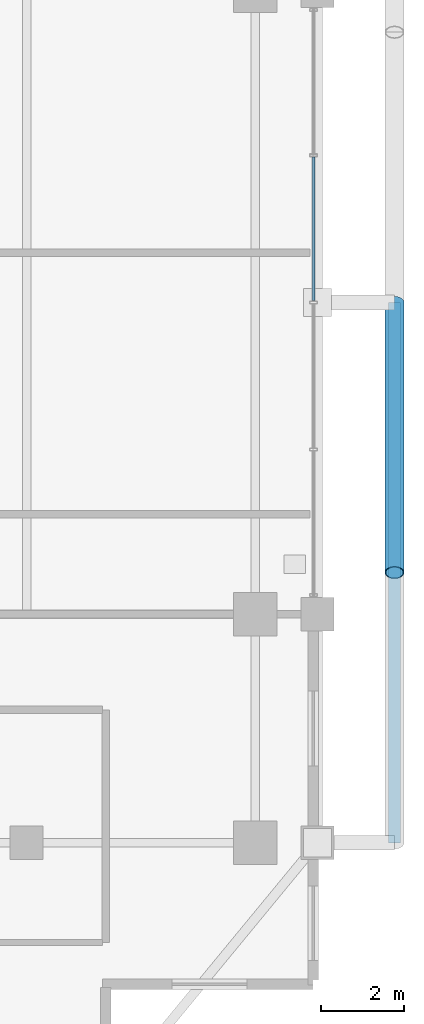
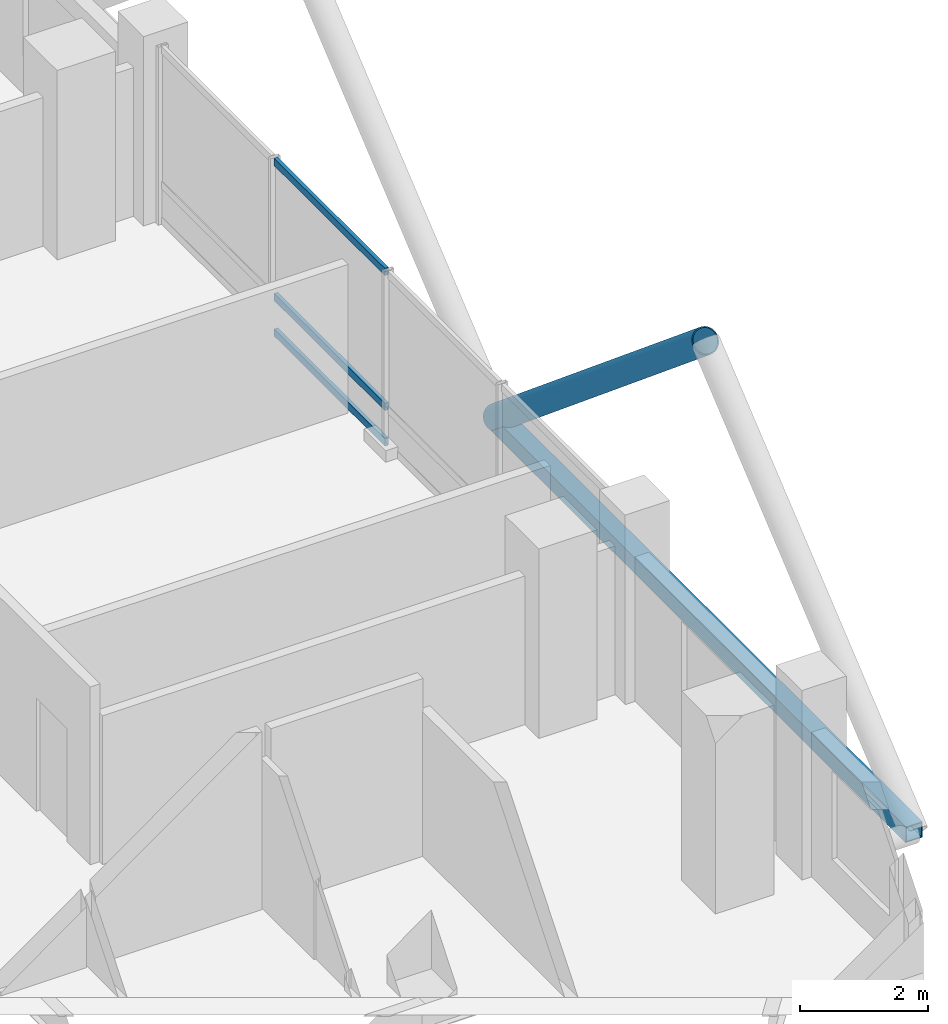
# One storey, part 12 of 26: 5 members, 1 element without a shape of its own.
"""IFC4 building model written with IfcOpenShell, lengths in metres."""

from ifc_helpers import new_model, si_unit, direction, frame, origin, origin_2d, place, context, subcontext, project, spatial, hollow_rectangle, hollow_circle, extrude, material, layer, layer_set, material_profile, profile_set, type_object, element, aggregate, save


model = new_model("IFC4")

# Units and contexts
model_context = context("Model", 3, precision=1e-05, world=origin(), true_north=direction((0.0, 1.0)))
body_context = subcontext(model_context, "Body", "Model", "MODEL_VIEW")
ifc_project = project(units=[si_unit("LENGTHUNIT", "METRE"), si_unit("AREAUNIT", "SQUARE_METRE"), si_unit("VOLUMEUNIT", "CUBIC_METRE"), si_unit("PLANEANGLEUNIT", "RADIAN"), si_unit("MASSUNIT", "GRAM", prefix="KILO")], contexts=[model_context])

# Site, building, storey
site_placement = place(None, origin())
site = spatial("IfcSite", under=ifc_project, at=site_placement, CompositionType="ELEMENT")
building_placement = place(site_placement, origin())
building = spatial("IfcBuilding", under=site, at=building_placement, Name="Barlavira Tower and Art Museum", CompositionType="ELEMENT")
storey_placement = place(building_placement, frame((0.0, 0.0, 198.0)))
storey = spatial("IfcBuildingStorey", under=building, at=storey_placement, Name="L51", CompositionType="ELEMENT", Elevation=198.0)

# Curtain wall, members
ifc_material_1 = material(Name="Low-iron coastal laminated glass", Category="glass")
ifc_layer = layer(ifc_material_1, 0.199951171875, Name="Low-iron coastal laminated glass")
ifc_layer_set = layer_set([ifc_layer], Name="Low-iron coastal laminated glass")
curtain_wall_type = type_object("IfcCurtainWallType", Name="Pale-Metal Unitised Curtain Wall Zone 3", PredefinedType="NOTDEFINED", material=ifc_layer_set)
curtain_wall_placement = place(storey_placement, origin())
curtain_wall = element("IfcCurtainWall", 1, at=curtain_wall_placement, inside=storey, type_object=curtain_wall_type, Name="L51 Curtain Wall CW3-L51-E-B3", PredefinedType="NOTDEFINED")
ifc_material_2 = material(Name="Pale anodised aluminium", Category="aluminium")
ifc_material_profile_1 = material_profile(ifc_material_2, hollow_rectangle(XDim=0.06494140625, YDim=0.139892578125, WallThickness=0.00390625, at=origin_2d()), Name="ALU-TRAN 65x140x4")
ifc_profile_set_1 = profile_set([ifc_material_profile_1], Name="Pale anodised aluminium")
member_type_1 = type_object("IfcMemberType", Name="Curtain Wall Pale-Metal Transom 65x140", PredefinedType="USERDEFINED", material=ifc_profile_set_1)
member_1_placement = place(storey_placement, frame((18.39990234375, 0.044921875, 0.070068359375), z_axis=(0.0, 1.0, 0.0), x_axis=(-1.0, 0.0, 0.0)))
member_1 = element("IfcMember", 2, at=member_1_placement, type_object=member_type_1, Name="CW3-L51-E-B3 Transom 2.1", ObjectType="TRANSOM", PredefinedType="USERDEFINED", context=body_context, shape_type="SweptSolid", body=[
    extrude(hollow_rectangle(XDim=0.06494140625, YDim=0.139892578125, WallThickness=0.00390625, at=origin_2d()), origin(), (0.0, 0.0, 1.0), 3.4501953125),
])
member_2_placement = place(storey_placement, frame((18.39990234375, 0.044921875, 0.743896484375), z_axis=(0.0, 1.0, 0.0), x_axis=(-1.0, 0.0, 0.0)))
member_2 = element("IfcMember", 3, at=member_2_placement, type_object=member_type_1, Name="CW3-L51-E-B3 Transom 2.2", ObjectType="TRANSOM", PredefinedType="USERDEFINED", context=body_context, shape_type="SweptSolid", body=[
    extrude(hollow_rectangle(XDim=0.06494140625, YDim=0.139892578125, WallThickness=0.00390625, at=origin_2d()), origin(), (0.0, 0.0, 1.0), 3.4501953125),
])
member_3_placement = place(storey_placement, frame((18.39990234375, 0.044921875, 3.31005859375), z_axis=(0.0, 1.0, 0.0), x_axis=(-1.0, 0.0, 0.0)))
member_3 = element("IfcMember", 4, at=member_3_placement, type_object=member_type_1, Name="CW3-L51-E-B3 Transom 2.3", ObjectType="TRANSOM", PredefinedType="USERDEFINED", context=body_context, shape_type="SweptSolid", body=[
    extrude(hollow_rectangle(XDim=0.06494140625, YDim=0.139892578125, WallThickness=0.00390625, at=origin_2d()), origin(), (0.0, 0.0, 1.0), 3.4501953125),
])
aggregate(curtain_wall, [member_1, member_2, member_3])

# Members
ifc_material_3 = material(Name="Steel S355", Category="steel")
ifc_material_profile_2 = material_profile(ifc_material_3, hollow_circle(Radius=0.228515625, WallThickness=0.02001953125, at=origin_2d()), Name="CHS 457.0x20.0")
ifc_profile_set_2 = profile_set([ifc_material_profile_2], Name="Steel S355")
member_type_2 = type_object("IfcMemberType", Name="Pale-Metal Exoskeleton Diagrid Tube CHS 457x20 Steel S355", PredefinedType="BRACE", material=ifc_profile_set_2)
member_4_placement = place(storey_placement, frame((20.35009765625, 0.0, -0.1201171875), z_axis=(0.0, -0.76918185268, 0.639029950399), x_axis=(1.0, 0.0, 0.0)))
element("IfcMember", 5, at=member_4_placement, inside=storey, type_object=member_type_2, Name="L51 Exoskeleton Diagrid Tube E", PredefinedType="BRACE", context=body_context, shape_type="SweptSolid", body=[
    extrude(hollow_circle(Radius=0.228515625, WallThickness=0.02001953125, at=origin_2d()), origin(), (0.0, 0.0, 1.0), 8.450439453125),
])
ifc_material_profile_3 = material_profile(ifc_material_3, hollow_rectangle(XDim=0.300048828125, YDim=0.300048828125, WallThickness=0.01611328125, at=origin_2d()), Name="SHS 300x300x16.0")
ifc_profile_set_3 = profile_set([ifc_material_profile_3], Name="Steel S355")
member_type_3 = type_object("IfcMemberType", Name="Pale-Metal Upper Ring Strut SHS 300x300x16 Steel S355", PredefinedType="STRUT", material=ifc_profile_set_3)
member_5_placement = place(storey_placement, frame((20.35009765625, -13.0, -0.1201171875), z_axis=(0.0, 1.0, 0.0), x_axis=(-1.0, 0.0, 0.0)))
element("IfcMember", 6, at=member_5_placement, inside=storey, type_object=member_type_3, Name="L51 Exoskeleton Ring Strut E", PredefinedType="STRUT", context=body_context, shape_type="SweptSolid", body=[
    extrude(hollow_rectangle(XDim=0.300048828125, YDim=0.300048828125, WallThickness=0.01611328125, at=origin_2d()), origin(), (0.0, 0.0, 1.0), 13.0),
])

save(model, "model.ifc")
